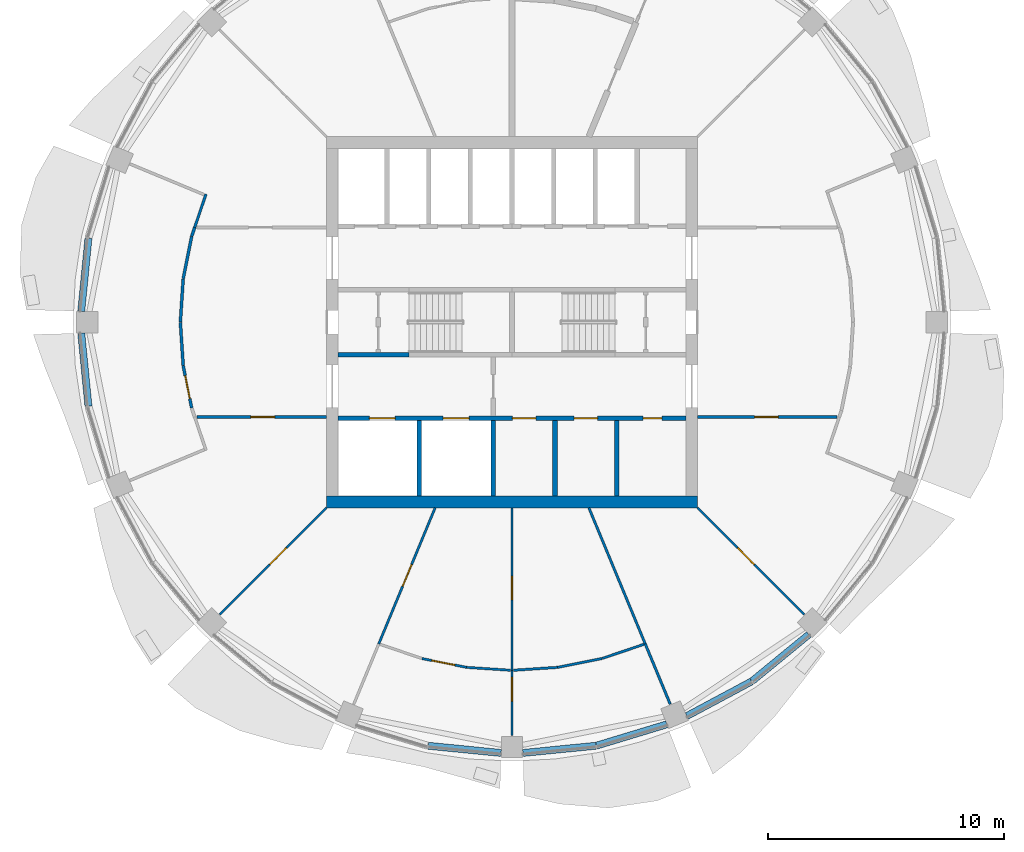
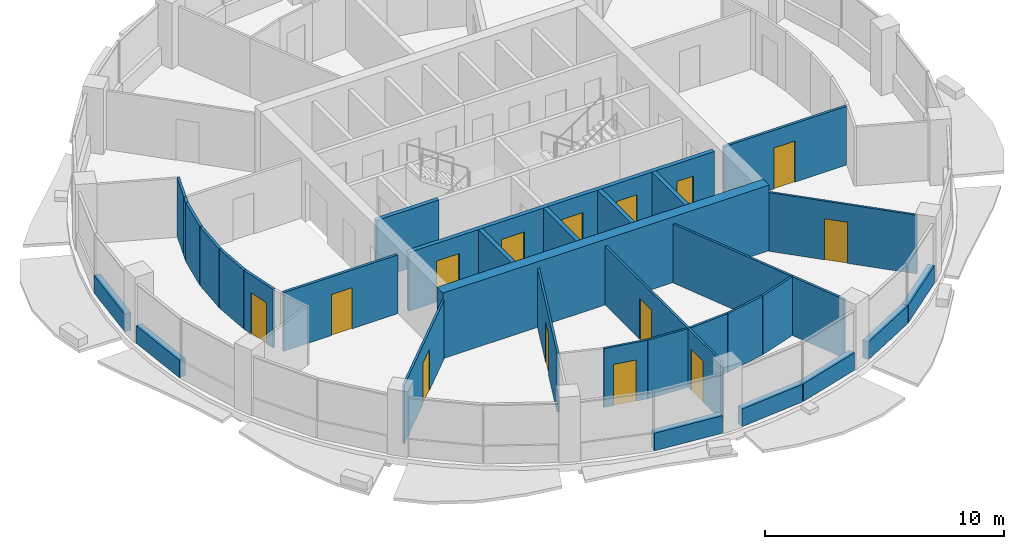
# One storey, part 8 of 15: 34 walls, 14 doors, 14 openings.
"""IFC4 building model written with IfcOpenShell, lengths in metres."""

import ifcopenshell
import ifcopenshell.guid

model = None  # the IFC model being written
_history = None  # IfcOwnerHistory: only IFC2X3 demands one
_inside = {}  # id of a spatial element -> (the spatial element, [elements in it])
_under = {}  # id of a project, library or spatial element -> (it, [spatial elements below it])
_declared = {}  # id of a project -> (the project, [libraries it declares])
_typed = {}  # id of a type object -> (the type object, [elements of that type])
_made_of = {}  # id of a material, layer set ... -> (it, [elements and type objects made of it])


def new_model(schema):
    """Start an empty IFC model of exactly this schema.

    Asked for "IFC4X3", IfcOpenShell would pick the latest addendum, in which some entities
    have other attributes; the version numbers below select the first issue.
    IFC2X3 requires an IfcOwnerHistory on every rooted entity: one is made here for all.
    """
    global model, _history
    if schema == "IFC4X3":
        model = ifcopenshell.file(schema_version=(4, 3, 0, 0))
    else:
        model = ifcopenshell.file(schema=schema)
    _inside.clear()
    _under.clear()
    _declared.clear()
    _typed.clear()
    _made_of.clear()
    _history = None
    if model.schema == "IFC2X3":
        org = make("IfcOrganization", Name="unknown")
        user = make(
            "IfcPersonAndOrganization",
            ThePerson=make("IfcPerson", FamilyName="unknown"),
            TheOrganization=org,
        )
        app = make(
            "IfcApplication",
            ApplicationDeveloper=org,
            Version="unknown",
            ApplicationFullName="unknown",
            ApplicationIdentifier="unknown",
        )
        _history = make(
            "IfcOwnerHistory",
            OwningUser=user,
            OwningApplication=app,
            ChangeAction="ADDED",
            CreationDate=0,
        )
    return model


def make(cls, **values):
    """One entity of the class cls with the attributes given. An attribute that is None is left unset."""
    return model.create_entity(
        cls, **{name: value for name, value in values.items() if value is not None}
    )


def rooted(cls, **values):
    """An entity with a GlobalId (a new one), such as an element, a storey or a relation."""
    return make(cls, GlobalId=ifcopenshell.guid.new(), OwnerHistory=_history, **values)


def si_unit(unit_type, name, prefix=None):
    """IfcSIUnit, for example si_unit("LENGTHUNIT", "METRE", prefix="MILLI")."""
    return make("IfcSIUnit", UnitType=unit_type, Prefix=prefix, Name=name)


def assignment(units):
    """IfcUnitAssignment: the units of a project."""
    return None if units is None else make("IfcUnitAssignment", Units=units)


def point(xyz):
    """IfcCartesianPoint."""
    return None if xyz is None else make("IfcCartesianPoint", Coordinates=xyz)


def direction(xyz):
    """IfcDirection."""
    return None if xyz is None else make("IfcDirection", DirectionRatios=xyz)


def frame(location, z_axis=None, x_axis=None):
    """IfcAxis2Placement3D, a coordinate frame: its origin and axes. An axis left out is left unset."""
    return make(
        "IfcAxis2Placement3D",
        Location=point(location),
        Axis=direction(z_axis),
        RefDirection=direction(x_axis),
    )


def frame_2d(location, x_axis=None):
    """IfcAxis2Placement2D, a coordinate frame in the plane: its origin and x axis."""
    return make(
        "IfcAxis2Placement2D", Location=point(location), RefDirection=direction(x_axis)
    )


def origin():
    """The frame at (0, 0, 0) with its axes left unset."""
    return frame((0.0, 0.0, 0.0))


def place(relative_to, where):
    """IfcLocalPlacement: puts the frame where relative to a parent placement (None: the world)."""
    return make(
        "IfcLocalPlacement", PlacementRelTo=relative_to, RelativePlacement=where
    )


def context(
    kind, dimensions, precision=None, world=None, true_north=None, identifier=None
):
    """IfcGeometricRepresentationContext, for example the 3D "Model" context."""
    return make(
        "IfcGeometricRepresentationContext",
        ContextIdentifier=identifier,
        ContextType=kind,
        CoordinateSpaceDimension=dimensions,
        Precision=precision,
        WorldCoordinateSystem=world,
        TrueNorth=true_north,
    )


def subcontext(parent, identifier, kind, view, scale=None):
    """IfcGeometricRepresentationSubContext, for example "Body" below "Model"."""
    return make(
        "IfcGeometricRepresentationSubContext",
        ContextIdentifier=identifier,
        ContextType=kind,
        ParentContext=parent,
        TargetScale=scale,
        TargetView=view,
    )


def project(units=None, contexts=None):
    """IfcProject with its units and contexts."""
    return rooted(
        "IfcProject",
        Name="project",
        RepresentationContexts=contexts,
        UnitsInContext=assignment(units),
    )


def spatial(cls, under=None, at=None, **own):
    """A site, building, storey or space (cls), placed at a placement, below another one or the project."""
    s = rooted(cls, ObjectPlacement=at, **own)
    if under is not None:
        _under.setdefault(under.id(), (under, []))[1].append(s)
    return s


def profile(cls, at=None, kind="AREA", **sizes):
    """A parametric profile (cls). Its sizes go by their IFC names, for example OverallWidth=200.0."""
    return make(cls, ProfileType=kind, Position=at, **sizes)


def rectangle(**sizes):
    """IfcRectangleProfileDef."""
    return profile("IfcRectangleProfileDef", **sizes)


def extrude(swept, where, along, depth):
    """IfcExtrudedAreaSolid: the profile swept, set in the frame where, extruded along a direction by depth."""
    return make(
        "IfcExtrudedAreaSolid",
        SweptArea=swept,
        Position=where,
        ExtrudedDirection=direction(along),
        Depth=depth,
    )


def shape(context_of_items, identifier, shape_type, items):
    """IfcShapeRepresentation: the items that make up one representation, for example the "Body"."""
    return make(
        "IfcShapeRepresentation",
        ContextOfItems=context_of_items,
        RepresentationIdentifier=identifier,
        RepresentationType=shape_type,
        Items=items,
    )


def material(Name=None, Category=None):
    """IfcMaterial."""
    return make("IfcMaterial", Name=Name, Category=Category)


def layer(
    of_material, thickness, ventilated=None, Name=None, Category=None, Priority=None
):
    """IfcMaterialLayer: one layer of a wall or slab, of a material (None: an air gap)."""
    return make(
        "IfcMaterialLayer",
        Material=of_material,
        LayerThickness=thickness,
        IsVentilated=ventilated,
        Name=Name,
        Category=Category,
        Priority=Priority,
    )


def layer_set(layers, Name=None):
    """IfcMaterialLayerSet."""
    return make("IfcMaterialLayerSet", MaterialLayers=layers, LayerSetName=Name)


def made_of(thing, what):
    """Note that an element or type object is made of a material, layer set ...; save() writes the relation."""
    if what is not None:
        _made_of.setdefault(what.id(), (what, []))[1].append(thing)
    return thing


def type_object(cls, material=None, **own):
    """A type object (cls), such as IfcWallType, which elements share."""
    return made_of(rooted(cls, **own), material)


def element(
    cls,
    number,
    at=None,
    inside=None,
    cuts=None,
    type_object=None,
    material=None,
    context=None,
    identifier="Body",
    shape_type=None,
    held_by="IfcProductDefinitionShape",
    body=None,
    shapes=None,
    **own,
):
    """One element of the class cls, such as IfcWall. Its Tag is "e" and its number.

    at: its placement. inside: the storey or other place that contains it. cuts: it is an
    opening in that element (IfcRelVoidsElement). A single representation is given by context,
    identifier, shape_type and body (its items); several are given by shapes. held_by: the class
    of the entity that holds the representations. save() writes the other relations.
    """
    e = rooted(cls, Tag="e%d" % number, ObjectPlacement=at, **own)
    if body is not None:
        shapes = [shape(context, identifier, shape_type, body)]
    if shapes is not None:
        e.Representation = make(held_by, Representations=shapes)
    if inside is not None:
        _inside.setdefault(inside.id(), (inside, []))[1].append(e)
    if cuts is not None:
        rooted(
            "IfcRelVoidsElement", RelatingBuildingElement=cuts, RelatedOpeningElement=e
        )
    if type_object is not None:
        _typed.setdefault(type_object.id(), (type_object, []))[1].append(e)
    return made_of(e, material)


def fill(opening, filler):
    """IfcRelFillsElement: the door or window that sits in an opening."""
    return rooted(
        "IfcRelFillsElement",
        RelatingOpeningElement=opening,
        RelatedBuildingElement=filler,
    )


def aggregate(whole, parts):
    """IfcRelAggregates: a whole, such as a stair, and the parts it consists of."""
    return rooted("IfcRelAggregates", RelatingObject=whole, RelatedObjects=parts)


def save(model, path):
    """Write the relations noted so far, then the file.

    IfcRelAggregates (storeys below a building ...), IfcRelContainedInSpatialStructure (elements
    in a storey), IfcRelDefinesByType, IfcRelAssociatesMaterial and IfcRelDeclares: one each for
    every whole, place, type object, material and project.
    """
    for whole, parts in _under.values():
        aggregate(whole, parts)
    for where, things in _inside.values():
        rooted(
            "IfcRelContainedInSpatialStructure",
            RelatedElements=things,
            RelatingStructure=where,
        )
    for kind, things in _typed.values():
        rooted("IfcRelDefinesByType", RelatedObjects=things, RelatingType=kind)
    for what, things in _made_of.values():
        rooted("IfcRelAssociatesMaterial", RelatedObjects=things, RelatingMaterial=what)
    for by, libraries in _declared.values():
        rooted("IfcRelDeclares", RelatingContext=by, RelatedDefinitions=libraries)
    model.write(path)


model = new_model("IFC4")

# Units and contexts
model_context = context("Model", 3, precision=1e-05, world=origin(), true_north=direction((0.0, 1.0)))
body_context = subcontext(model_context, "Body", "Model", "MODEL_VIEW")
ifc_project = project(units=[si_unit("LENGTHUNIT", "METRE"), si_unit("AREAUNIT", "SQUARE_METRE"), si_unit("VOLUMEUNIT", "CUBIC_METRE"), si_unit("PLANEANGLEUNIT", "RADIAN"), si_unit("MASSUNIT", "GRAM", prefix="KILO")], contexts=[model_context])

# Site, building, storey
site_placement = place(None, origin())
site = spatial("IfcSite", under=ifc_project, at=site_placement, CompositionType="ELEMENT")
building_placement = place(site_placement, origin())
building = spatial("IfcBuilding", under=site, at=building_placement, Name="Polderwave Tower", CompositionType="ELEMENT")
storey_placement = place(building_placement, frame((0.0, 0.0, 177.60009765625)))
storey = spatial("IfcBuildingStorey", under=building, at=storey_placement, Name="L47", CompositionType="ELEMENT", Elevation=177.60009765625)

# Walls
ifc_material_1 = material(Name="Concrete C60/75", Category="concrete")
ifc_layer_1 = layer(ifc_material_1, 0.5)
ifc_layer_set_1 = layer_set([ifc_layer_1], Name="CORE WALL 500 C60/75")
wall_type_1 = type_object("IfcWallType", Name="CORE WALL 500 C60/75", PredefinedType="SHEAR", material=ifc_layer_set_1)
wall_1_placement = place(storey_placement, frame((-7.8740234375, -7.6240234375, 0.0), z_axis=(0.0, 0.0, 1.0), x_axis=(1.0, 0.0, 0.0)))
element("IfcWall", 1, at=wall_1_placement, inside=storey, type_object=wall_type_1, Name="ST-CORE-L47-S", PredefinedType="SHEAR", context=body_context, shape_type="SweptSolid", body=[
    extrude(rectangle(XDim=15.748046875, YDim=0.5, at=frame_2d((7.8740234375, 0.0))), origin(), (0.0, 0.0, 1.0), 3.349853515625),
])
ifc_material_2 = material(Name="Concrete C50/60 (board-marked)", Category="concrete")
ifc_layer_2 = layer(ifc_material_2, 0.300048828125)
ifc_layer_set_2 = layer_set([ifc_layer_2], Name="Concrete spandrel upstand C50/60")
wall_type_2 = type_object("IfcWallType", Name="Concrete spandrel upstand C50/60", PredefinedType="SOLIDWALL", material=ifc_layer_set_2)
for number, where, z_axis, x_axis, name in (
    (2, (-17.969482421875, 3.55908203125, 0.0), (0.0, 0.0, 1.0), (-0.098042483483, -0.995182230264, 0.0), "Spandrel L47 8b"),
    (3, (-18.2744140625, -0.4638671875, 0.0), (0.0, 0.0, 1.0), (0.098042483483, -0.995182230264, 0.0), "Spandrel L47 9a"),
    (4, (-3.55908203125, -17.969482421875, 0.0), (0.0, 0.0, 1.0), (0.995182230264, -0.098042483483, 0.0), "Spandrel L47 12b"),
    (5, (0.4638671875, -18.2744140625, 0.0), (0.0, 0.0, 1.0), (0.995182230264, 0.098042483483, 0.0), "Spandrel L47 13a"),
):
    element("IfcWall", number, at=place(storey_placement, frame(where, z_axis=z_axis, x_axis=x_axis)), inside=storey, type_object=wall_type_2, Name=name, PredefinedType="SOLIDWALL", context=body_context, shape_type="SweptSolid", body=[
        extrude(rectangle(XDim=3.110107421875, YDim=0.300048828125, at=frame_2d((1.55517578125, 0.0))), origin(), (0.0, 0.0, 1.0), 0.89990234375),
    ])
for number, where, z_axis, x_axis, name in (
    (6, (3.58837890625, -17.963623046875, 0.0), (0.0, 0.0, 1.0), (0.956898885778, 0.290421284339, 0.0), "Spandrel L47 13b"),
    (7, (7.422119140625, -16.705810546875, 0.0), (0.0, 0.0, 1.0), (0.881813490025, 0.471598312985, 0.0), "Spandrel L47 14a"),
):
    element("IfcWall", number, at=place(storey_placement, frame(where, z_axis=z_axis, x_axis=x_axis)), inside=storey, type_object=wall_type_2, Name=name, PredefinedType="SOLIDWALL", context=body_context, shape_type="SweptSolid", body=[
        extrude(rectangle(XDim=3.1103515625, YDim=0.300048828125, at=frame_2d((1.55517578125, 0.0))), origin(), (0.0, 0.0, 1.0), 0.89990234375),
    ])
wall_2_placement = place(storey_placement, frame((10.189697265625, -15.222412109375, 0.0), z_axis=(0.0, 0.0, 1.0), x_axis=(0.773113831461, 0.634267296653, 0.0)))
element("IfcWall", 8, at=wall_2_placement, inside=storey, type_object=wall_type_2, Name="Spandrel L47 14b", PredefinedType="SOLIDWALL", context=body_context, shape_type="SweptSolid", body=[
    extrude(rectangle(XDim=3.110595703125, YDim=0.300048828125, at=frame_2d((1.55517578125, 0.0))), origin(), (0.0, 0.0, 1.0), 0.89990234375),
])
ifc_material_3 = material(Name="Gypsum board partition")
ifc_layer_3 = layer(ifc_material_3, 0.199951171875)
ifc_layer_set_3 = layer_set([ifc_layer_3], Name="Core room partition 200")
wall_type_3 = type_object("IfcWallType", Name="Core room partition 200", PredefinedType="PARTITIONING", material=ifc_layer_set_3)
for number, where, z_axis, x_axis, name in (
    (9, (1.823486328125, -7.3740234375, 0.0), (0.0, 0.0, 1.0), (0.0, 1.0, 0.0), "L47 room partition S1"),
    (10, (4.44677734375, -7.3740234375, 0.0), (0.0, 0.0, 1.0), (0.0, 1.0, 0.0), "L47 room partition S2"),
):
    element("IfcWall", number, at=place(storey_placement, frame(where, z_axis=z_axis, x_axis=x_axis)), inside=storey, type_object=wall_type_3, Name=name, PredefinedType="PARTITIONING", context=body_context, shape_type="SweptSolid", body=[
        extrude(rectangle(XDim=3.199951171875, YDim=0.199951171875, at=frame_2d((1.60009765625, 0.0))), origin(), (0.0, 0.0, 1.0), 3.0),
    ])

# Wall, openings, doors
ifc_material_4 = material(Name="Concrete C50/60", Category="concrete")
ifc_layer_4 = layer(ifc_material_4, 0.199951171875)
ifc_layer_set_4 = layer_set([ifc_layer_4], Name="Core web wall 200")
wall_type_4 = type_object("IfcWallType", Name="Core web wall 200", PredefinedType="SHEAR", material=ifc_layer_set_4)
wall_3_placement = place(storey_placement, frame((-7.3740234375, -4.073974609375, 0.0), z_axis=(0.0, 0.0, 1.0), x_axis=(1.0, 0.0, 0.0)))
wall_3 = element("IfcWall", 11, at=wall_3_placement, inside=storey, type_object=wall_type_4, Name="L47 south front wall", PredefinedType="SHEAR", context=body_context, shape_type="SweptSolid", body=[
    extrude(rectangle(XDim=14.748046875, YDim=0.199951171875, at=frame_2d((7.3740234375, 0.0))), origin(), (0.0, 0.0, 1.0), 3.0),
])
opening_1_placement = place(wall_3_placement, frame((1.318603515625, 0.0, 0.0)))
opening_1 = element("IfcOpeningElement", 12, at=opening_1_placement, cuts=wall_3, Name="Opening L47-D01", PredefinedType="OPENING", context=body_context, shape_type="SweptSolid", body=[
    extrude(rectangle(XDim=1.10009765625, YDim=2.10009765625, at=frame_2d((0.550048828125, 1.050048828125))), frame((0.0, 0.10986328125, 0.0), z_axis=(0.0, -1.0, 0.0), x_axis=(1.0, 0.0, 0.0)), (0.0, 0.0, 1.0), 0.219970703125),
])
opening_2_placement = place(wall_3_placement, frame((4.45556640625, 0.0, 0.0)))
opening_2 = element("IfcOpeningElement", 13, at=opening_2_placement, cuts=wall_3, Name="Opening L47-D02", PredefinedType="OPENING", context=body_context, shape_type="SweptSolid", body=[
    extrude(rectangle(XDim=1.10009765625, YDim=2.10009765625, at=frame_2d((0.550048828125, 1.050048828125))), frame((0.0, 0.10986328125, 0.0), z_axis=(0.0, -1.0, 0.0), x_axis=(1.0, 0.0, 0.0)), (0.0, 0.0, 1.0), 0.219970703125),
])
opening_3_placement = place(wall_3_placement, frame((7.3857421875, 0.0, 0.0)))
opening_3 = element("IfcOpeningElement", 14, at=opening_3_placement, cuts=wall_3, Name="Opening L47-D15", PredefinedType="OPENING", context=body_context, shape_type="SweptSolid", body=[
    extrude(rectangle(XDim=1.0, YDim=2.10009765625, at=frame_2d((0.5, 1.050048828125))), frame((0.0, 0.10986328125, 0.0), z_axis=(0.0, -1.0, 0.0), x_axis=(1.0, 0.0, 0.0)), (0.0, 0.0, 1.0), 0.219970703125),
])
opening_4_placement = place(wall_3_placement, frame((10.009033203125, 0.0, 0.0)))
opening_4 = element("IfcOpeningElement", 15, at=opening_4_placement, cuts=wall_3, Name="Opening L47-D16", PredefinedType="OPENING", context=body_context, shape_type="SweptSolid", body=[
    extrude(rectangle(XDim=1.0, YDim=2.10009765625, at=frame_2d((0.5, 1.050048828125))), frame((0.0, 0.10986328125, 0.0), z_axis=(0.0, -1.0, 0.0), x_axis=(1.0, 0.0, 0.0)), (0.0, 0.0, 1.0), 0.219970703125),
])
opening_5_placement = place(wall_3_placement, frame((12.934326171875, 0.0, 0.0)))
opening_5 = element("IfcOpeningElement", 16, at=opening_5_placement, cuts=wall_3, Name="Opening L47-D17", PredefinedType="OPENING", context=body_context, shape_type="SweptSolid", body=[
    extrude(rectangle(XDim=0.800048828125, YDim=2.10009765625, at=frame_2d((0.39990234375, 1.050048828125))), frame((0.0, 0.10986328125, 0.0), z_axis=(0.0, -1.0, 0.0), x_axis=(1.0, 0.0, 0.0)), (0.0, 0.0, 1.0), 0.219970703125),
])
ifc_material_5 = material(Name="Stainless steel", Category="steel")
door_type_1 = type_object("IfcDoorType", Name="Fire-fighting lift landing door 1100", OperationType="DOUBLE_DOOR_SLIDING", PredefinedType="DOOR", material=ifc_material_5)
door_1_placement = place(opening_1_placement, origin())
door_1 = element("IfcDoor", 17, at=door_1_placement, inside=storey, type_object=door_type_1, Name="Fire-fighting lift FF1 landing door", OperationType="DOUBLE_DOOR_SLIDING", OverallHeight=2.10009765625, OverallWidth=1.10009765625, PredefinedType="DOOR", context=body_context, shape_type="SweptSolid", body=[
    extrude(rectangle(XDim=1.10009765625, YDim=2.10009765625, at=frame_2d((0.550048828125, 1.050048828125))), frame((0.0, 0.02490234375, 0.0), z_axis=(0.0, -1.0, 0.0), x_axis=(1.0, 0.0, 0.0)), (0.0, 0.0, 1.0), 0.050048828125),
])
fill(opening_1, door_1)
door_2_placement = place(opening_2_placement, origin())
door_2 = element("IfcDoor", 18, at=door_2_placement, inside=storey, type_object=door_type_1, Name="Fire-fighting lift FF2 landing door", OperationType="DOUBLE_DOOR_SLIDING", OverallHeight=2.10009765625, OverallWidth=1.10009765625, PredefinedType="DOOR", context=body_context, shape_type="SweptSolid", body=[
    extrude(rectangle(XDim=1.10009765625, YDim=2.10009765625, at=frame_2d((0.550048828125, 1.050048828125))), frame((0.0, 0.02490234375, 0.0), z_axis=(0.0, -1.0, 0.0), x_axis=(1.0, 0.0, 0.0)), (0.0, 0.0, 1.0), 0.050048828125),
])
fill(opening_2, door_2)
ifc_material_6 = material(Name="Steel fire door", Category="steel")
door_type_2 = type_object("IfcDoorType", Name="Riser door 800", OperationType="NOTDEFINED", PredefinedType="DOOR", material=ifc_material_6)
door_3_placement = place(opening_5_placement, origin())
door_3 = element("IfcDoor", 19, at=door_3_placement, inside=storey, type_object=door_type_2, Name="Electrical room door", OperationType="SINGLE_SWING_RIGHT", OverallHeight=2.10009765625, OverallWidth=0.800048828125, PredefinedType="DOOR", context=body_context, shape_type="SweptSolid", body=[
    extrude(rectangle(XDim=0.800048828125, YDim=2.10009765625, at=frame_2d((0.39990234375, 1.050048828125))), frame((0.0, 0.02490234375, 0.0), z_axis=(0.0, -1.0, 0.0), x_axis=(1.0, 0.0, 0.0)), (0.0, 0.0, 1.0), 0.050048828125),
])
fill(opening_5, door_3)
ifc_material_7 = material(Name="Timber door leaf", Category="wood")
door_type_3 = type_object("IfcDoorType", Name="Room door 1000", OperationType="NOTDEFINED", PredefinedType="DOOR", material=ifc_material_7)
door_4_placement = place(opening_3_placement, frame((1.0, 0.0, 0.0), z_axis=(0.0, 0.0, 1.0), x_axis=(-1.0, 0.0, 0.0)))
door_4 = element("IfcDoor", 20, at=door_4_placement, inside=storey, type_object=door_type_3, Name="Housekeeping store door", OperationType="SINGLE_SWING_LEFT", OverallHeight=2.10009765625, OverallWidth=1.0, PredefinedType="DOOR", context=body_context, shape_type="SweptSolid", body=[
    extrude(rectangle(XDim=1.0, YDim=2.10009765625, at=frame_2d((0.5, 1.050048828125))), frame((0.0, 0.02490234375, 0.0), z_axis=(0.0, -1.0, 0.0), x_axis=(1.0, 0.0, 0.0)), (0.0, 0.0, 1.0), 0.050048828125),
])
fill(opening_3, door_4)
door_5_placement = place(opening_4_placement, frame((1.0, 0.0, 0.0), z_axis=(0.0, 0.0, 1.0), x_axis=(-1.0, 0.0, 0.0)))
door_5 = element("IfcDoor", 21, at=door_5_placement, inside=storey, type_object=door_type_3, Name="Pantry door", OperationType="SINGLE_SWING_LEFT", OverallHeight=2.10009765625, OverallWidth=1.0, PredefinedType="DOOR", context=body_context, shape_type="SweptSolid", body=[
    extrude(rectangle(XDim=1.0, YDim=2.10009765625, at=frame_2d((0.5, 1.050048828125))), frame((0.0, 0.02490234375, 0.0), z_axis=(0.0, -1.0, 0.0), x_axis=(1.0, 0.0, 0.0)), (0.0, 0.0, 1.0), 0.050048828125),
])
fill(opening_4, door_5)

# Wall
wall_4_placement = place(storey_placement, frame((-7.3740234375, -1.375, 0.0), z_axis=(0.0, 0.0, 1.0), x_axis=(1.0, 0.0, 0.0)))
element("IfcWall", 22, at=wall_4_placement, inside=storey, type_object=wall_type_4, Name="L47 south stair wall 1", PredefinedType="SHEAR", context=body_context, shape_type="SweptSolid", body=[
    extrude(rectangle(XDim=3.0, YDim=0.199951171875, at=frame_2d((1.5, 0.0))), origin(), (0.0, 0.0, 1.0), 3.0),
])

# Wall, opening, door
ifc_material_8 = material(Name="Fire-resisting board on steel studs", Category="steel")
ifc_layer_5 = layer(ifc_material_8, 0.125)
ifc_layer_set_5 = layer_set([ifc_layer_5], Name="Corridor wall 125 mm EI 60")
wall_type_5 = type_object("IfcWallType", Name="Corridor wall 125 mm EI 60", PredefinedType="PARTITIONING", material=ifc_layer_set_5)
wall_5_placement = place(storey_placement, frame((13.794921875, -4.0244140625, 0.0), z_axis=(0.0, 0.0, 1.0), x_axis=(-1.0, 0.0, 0.0)))
wall_5 = element("IfcWall", 23, at=wall_5_placement, inside=storey, type_object=wall_type_5, Name="IN-L47-W008", PredefinedType="PARTITIONING", context=body_context, shape_type="SweptSolid", body=[
    extrude(rectangle(XDim=5.9208984375, YDim=0.125, at=frame_2d((2.96044921875, 0.0))), origin(), (0.0, 0.0, 1.0), 3.0),
])
opening_6_placement = place(wall_5_placement, frame((2.5, 0.0, 0.0)))
opening_6 = element("IfcOpeningElement", 24, at=opening_6_placement, cuts=wall_5, Name="Opening L47-D52", PredefinedType="OPENING", context=body_context, shape_type="SweptSolid", body=[
    extrude(rectangle(XDim=1.0, YDim=2.10009765625, at=frame_2d((0.5, 1.050048828125))), frame((0.0, 0.072509765625, 0.0), z_axis=(0.0, -1.0, 0.0), x_axis=(1.0, 0.0, 0.0)), (0.0, 0.0, 1.0), 0.14501953125),
])
ifc_material_9 = material(Name="Timber fire door leaf", Category="wood")
door_type_4 = type_object("IfcDoorType", Name="Fire door FD30S 1000 x 2100", OperationType="NOTDEFINED", PredefinedType="DOOR", material=ifc_material_9)
door_6_placement = place(opening_6_placement, origin())
door_6 = element("IfcDoor", 25, at=door_6_placement, inside=storey, type_object=door_type_4, Name="Door L47-D52", OperationType="SINGLE_SWING_RIGHT", OverallHeight=2.10009765625, OverallWidth=1.0, PredefinedType="DOOR", context=body_context, shape_type="SweptSolid", body=[
    extrude(rectangle(XDim=1.0, YDim=2.10009765625, at=frame_2d((0.5, 1.050048828125))), frame((0.0, 0.02490234375, 0.0), z_axis=(0.0, -1.0, 0.0), x_axis=(1.0, 0.0, 0.0)), (0.0, 0.0, 1.0), 0.050048828125),
])
fill(opening_6, door_6)

# Walls
for number, where, z_axis, x_axis, name in (
    (26, (-14.069580078125, 0.004150390625, 0.0), (0.0, 0.0, 1.0), (0.065289693198, 0.997866351754, 0.0), "IN-L47-W010"),
    (27, (-13.949951171875, -1.83251953125, 0.0), (0.0, 0.0, 1.0), (-0.065289693198, 0.997866351754, 0.0), "IN-L47-W011"),
    (28, (-13.94873046875, 1.840576171875, 0.0), (0.0, 0.0, 1.0), (0.195065465094, 0.980790224425, 0.0), "IN-L47-W012"),
):
    element("IfcWall", number, at=place(storey_placement, frame(where, z_axis=z_axis, x_axis=x_axis)), inside=storey, type_object=wall_type_5, Name=name, PredefinedType="PARTITIONING", context=body_context, shape_type="SweptSolid", body=[
        extrude(rectangle(XDim=1.832275390625, YDim=0.125, at=frame_2d((0.916015625, 0.0))), origin(), (0.0, 0.0, 1.0), 3.0),
    ])

# Wall, opening, door
wall_6_placement = place(storey_placement, frame((-13.59130859375, -3.6376953125, 0.0), z_axis=(0.0, 0.0, 1.0), x_axis=(-0.195065465094, 0.980790224425, 0.0)))
wall_6 = element("IfcWall", 29, at=wall_6_placement, inside=storey, type_object=wall_type_5, Name="IN-L47-W013", PredefinedType="PARTITIONING", context=body_context, shape_type="SweptSolid", body=[
    extrude(rectangle(XDim=1.832275390625, YDim=0.125, at=frame_2d((0.916015625, 0.0))), origin(), (0.0, 0.0, 1.0), 3.0),
])
opening_7_placement = place(wall_6_placement, frame((0.39990234375, 0.0, 0.0)))
opening_7 = element("IfcOpeningElement", 30, at=opening_7_placement, cuts=wall_6, Name="Opening L47-D54", PredefinedType="OPENING", context=body_context, shape_type="SweptSolid", body=[
    extrude(rectangle(XDim=1.0, YDim=2.10009765625, at=frame_2d((0.5, 1.050048828125))), frame((0.0, 0.072509765625, 0.0), z_axis=(0.0, -1.0, 0.0), x_axis=(1.0, 0.0, 0.0)), (0.0, 0.0, 1.0), 0.14501953125),
])
door_7_placement = place(opening_7_placement, origin())
door_7 = element("IfcDoor", 31, at=door_7_placement, inside=storey, type_object=door_type_4, Name="Door L47-D54", OperationType="SINGLE_SWING_LEFT", OverallHeight=2.10009765625, OverallWidth=1.0, PredefinedType="DOOR", context=body_context, shape_type="SweptSolid", body=[
    extrude(rectangle(XDim=1.0, YDim=2.10009765625, at=frame_2d((0.5, 1.050048828125))), frame((0.0, 0.02490234375, 0.0), z_axis=(0.0, -1.0, 0.0), x_axis=(1.0, 0.0, 0.0)), (0.0, 0.0, 1.0), 0.050048828125),
])
fill(opening_7, door_7)

# Wall
wall_7_placement = place(storey_placement, frame((-13.58935546875, 3.6455078125, 0.0), z_axis=(0.0, 0.0, 1.0), x_axis=(0.321530820204, 0.94689911377, 0.0)))
element("IfcWall", 32, at=wall_7_placement, inside=storey, type_object=wall_type_5, Name="IN-L47-W014", PredefinedType="PARTITIONING", context=body_context, shape_type="SweptSolid", body=[
    extrude(rectangle(XDim=0.400146484375, YDim=0.125, at=frame_2d((0.2001953125, 0.0))), origin(), (0.0, 0.0, 1.0), 3.0),
])

# Wall, opening, door
wall_8_placement = place(storey_placement, frame((-7.8740234375, -4.0244140625, 0.0), z_axis=(0.0, 0.0, 1.0), x_axis=(-1.0, 0.0, 0.0)))
wall_8 = element("IfcWall", 33, at=wall_8_placement, inside=storey, type_object=wall_type_5, Name="IN-L47-W016", PredefinedType="PARTITIONING", context=body_context, shape_type="SweptSolid", body=[
    extrude(rectangle(XDim=5.499267578125, YDim=0.125, at=frame_2d((2.74951171875, 0.0))), origin(), (0.0, 0.0, 1.0), 3.0),
])
opening_8_placement = place(wall_8_placement, frame((2.199951171875, 0.0, 0.0)))
opening_8 = element("IfcOpeningElement", 34, at=opening_8_placement, cuts=wall_8, Name="Opening L47-D55", PredefinedType="OPENING", context=body_context, shape_type="SweptSolid", body=[
    extrude(rectangle(XDim=1.0, YDim=2.10009765625, at=frame_2d((0.5, 1.050048828125))), frame((0.0, 0.072509765625, 0.0), z_axis=(0.0, -1.0, 0.0), x_axis=(1.0, 0.0, 0.0)), (0.0, 0.0, 1.0), 0.14501953125),
])
door_8_placement = place(opening_8_placement, origin())
door_8 = element("IfcDoor", 35, at=door_8_placement, inside=storey, type_object=door_type_4, Name="Door L47-D55", OperationType="SINGLE_SWING_LEFT", OverallHeight=2.10009765625, OverallWidth=1.0, PredefinedType="DOOR", context=body_context, shape_type="SweptSolid", body=[
    extrude(rectangle(XDim=1.0, YDim=2.10009765625, at=frame_2d((0.5, 1.050048828125))), frame((0.0, 0.02490234375, 0.0), z_axis=(0.0, -1.0, 0.0), x_axis=(1.0, 0.0, 0.0)), (0.0, 0.0, 1.0), 0.050048828125),
])
fill(opening_8, door_8)

ifc_material_10 = material(Name="Plasterboard on steel studs", Category="steel")
ifc_layer_6 = layer(ifc_material_10, 0.10009765625)
ifc_layer_set_6 = layer_set([ifc_layer_6], Name="Partition 100 mm plasterboard on steel studs")
wall_type_6 = type_object("IfcWallType", Name="Partition 100 mm plasterboard on steel studs", PredefinedType="PARTITIONING", material=ifc_layer_set_6)
wall_9_placement = place(storey_placement, frame((-7.8740234375, -7.8740234375, 0.0), z_axis=(0.0, 0.0, 1.0), x_axis=(-0.707106781187, -0.707106781187, 0.0)))
wall_9 = element("IfcWall", 36, at=wall_9_placement, inside=storey, type_object=wall_type_6, Name="IN-L47-W039", PredefinedType="PARTITIONING", context=body_context, shape_type="SweptSolid", body=[
    extrude(rectangle(XDim=6.404296875, YDim=0.10009765625, at=frame_2d((3.2021484375, 0.0))), origin(), (0.0, 0.0, 1.0), 3.0),
])
opening_9_placement = place(wall_9_placement, frame((2.39990234375, 0.0, 0.0)))
opening_9 = element("IfcOpeningElement", 37, at=opening_9_placement, cuts=wall_9, Name="Opening L47-D62", PredefinedType="OPENING", context=body_context, shape_type="SweptSolid", body=[
    extrude(rectangle(XDim=1.0, YDim=2.10009765625, at=frame_2d((0.5, 1.050048828125))), frame((0.0, 0.06005859375, 0.0), z_axis=(0.0, -1.0, 0.0), x_axis=(1.0, 0.0, 0.0)), (0.0, 0.0, 1.0), 0.1201171875),
])
ifc_material_11 = material(Name="Timber veneer door leaf", Category="wood")
door_type_5 = type_object("IfcDoorType", Name="Single door 1000 x 2100", OperationType="NOTDEFINED", PredefinedType="DOOR", material=ifc_material_11)
door_9_placement = place(opening_9_placement, origin())
door_9 = element("IfcDoor", 38, at=door_9_placement, inside=storey, type_object=door_type_5, Name="Door L47-D62", OperationType="SINGLE_SWING_LEFT", OverallHeight=2.10009765625, OverallWidth=1.0, PredefinedType="DOOR", context=body_context, shape_type="SweptSolid", body=[
    extrude(rectangle(XDim=1.0, YDim=2.10009765625, at=frame_2d((0.5, 1.050048828125))), frame((0.0, 0.02490234375, 0.0), z_axis=(0.0, -1.0, 0.0), x_axis=(1.0, 0.0, 0.0)), (0.0, 0.0, 1.0), 0.050048828125),
])
fill(opening_9, door_9)

wall_10_placement = place(storey_placement, frame((-3.261474609375, -7.8740234375, 0.0), z_axis=(0.0, 0.0, 1.0), x_axis=(-0.382669328176, -0.923885374532, 0.0)))
wall_10 = element("IfcWall", 39, at=wall_10_placement, inside=storey, type_object=wall_type_6, Name="IN-L47-W040", PredefinedType="PARTITIONING", context=body_context, shape_type="SweptSolid", body=[
    extrude(rectangle(XDim=6.247314453125, YDim=0.10009765625, at=frame_2d((3.12353515625, 0.0))), origin(), (0.0, 0.0, 1.0), 3.0),
])
opening_10_placement = place(wall_10_placement, frame((2.60009765625, 0.0, 0.0)))
opening_10 = element("IfcOpeningElement", 40, at=opening_10_placement, cuts=wall_10, Name="Opening L47-D63", PredefinedType="OPENING", context=body_context, shape_type="SweptSolid", body=[
    extrude(rectangle(XDim=1.0, YDim=2.10009765625, at=frame_2d((0.5, 1.050048828125))), frame((0.0, 0.06005859375, 0.0), z_axis=(0.0, -1.0, 0.0), x_axis=(1.0, 0.0, 0.0)), (0.0, 0.0, 1.0), 0.1201171875),
])
door_10_placement = place(opening_10_placement, origin())
door_10 = element("IfcDoor", 41, at=door_10_placement, inside=storey, type_object=door_type_5, Name="Door L47-D63", OperationType="SINGLE_SWING_LEFT", OverallHeight=2.10009765625, OverallWidth=1.0, PredefinedType="DOOR", context=body_context, shape_type="SweptSolid", body=[
    extrude(rectangle(XDim=1.0, YDim=2.10009765625, at=frame_2d((0.5, 1.050048828125))), frame((0.0, 0.02490234375, 0.0), z_axis=(0.0, -1.0, 0.0), x_axis=(1.0, 0.0, 0.0)), (0.0, 0.0, 1.0), 0.050048828125),
])
fill(opening_10, door_10)

wall_11_placement = place(storey_placement, frame((-1.93115234375, -14.64306640625, 0.0), z_axis=(0.0, 0.0, 1.0), x_axis=(-0.980775263006, 0.195140676117, 0.0)))
wall_11 = element("IfcWall", 42, at=wall_11_placement, inside=storey, type_object=wall_type_6, Name="IN-L47-W043", PredefinedType="PARTITIONING", context=body_context, shape_type="SweptSolid", body=[
    extrude(rectangle(XDim=1.925537109375, YDim=0.10009765625, at=frame_2d((0.962890625, 0.0))), origin(), (0.0, 0.0, 1.0), 3.0),
])
opening_11_placement = place(wall_11_placement, frame((0.5, 0.0, 0.0)))
opening_11 = element("IfcOpeningElement", 43, at=opening_11_placement, cuts=wall_11, Name="Opening L47-D64", PredefinedType="OPENING", context=body_context, shape_type="SweptSolid", body=[
    extrude(rectangle(XDim=1.0, YDim=2.10009765625, at=frame_2d((0.5, 1.050048828125))), frame((0.0, 0.06005859375, 0.0), z_axis=(0.0, -1.0, 0.0), x_axis=(1.0, 0.0, 0.0)), (0.0, 0.0, 1.0), 0.1201171875),
])
door_11_placement = place(opening_11_placement, origin())
door_11 = element("IfcDoor", 44, at=door_11_placement, inside=storey, type_object=door_type_5, Name="Door L47-D64", OperationType="SINGLE_SWING_RIGHT", OverallHeight=2.10009765625, OverallWidth=1.0, PredefinedType="DOOR", context=body_context, shape_type="SweptSolid", body=[
    extrude(rectangle(XDim=1.0, YDim=2.10009765625, at=frame_2d((0.5, 1.050048828125))), frame((0.0, 0.02490234375, 0.0), z_axis=(0.0, -1.0, 0.0), x_axis=(1.0, 0.0, 0.0)), (0.0, 0.0, 1.0), 0.050048828125),
])
fill(opening_11, door_11)

# Wall
wall_12_placement = place(storey_placement, frame((-0.055908203125, -14.766357421875, 0.0), z_axis=(0.0, 0.0, 1.0), x_axis=(-0.997856111695, 0.065446010984, 0.0)))
element("IfcWall", 45, at=wall_12_placement, inside=storey, type_object=wall_type_6, Name="IN-L47-W044", PredefinedType="PARTITIONING", context=body_context, shape_type="SweptSolid", body=[
    extrude(rectangle(XDim=1.87255859375, YDim=0.10009765625, at=frame_2d((0.936279296875, 0.0))), origin(), (0.0, 0.0, 1.0), 3.0),
])

# Wall, opening, door
wall_13_placement = place(storey_placement, frame((0.0, -14.77001953125, 0.0), z_axis=(0.0, 0.0, 1.0), x_axis=(0.0, -1.0, 0.0)))
wall_13 = element("IfcWall", 46, at=wall_13_placement, inside=storey, type_object=wall_type_6, Name="IN-L47-W046", PredefinedType="PARTITIONING", context=body_context, shape_type="SweptSolid", body=[
    extrude(rectangle(XDim=2.77001953125, YDim=0.10009765625, at=frame_2d((1.385009765625, 0.0))), origin(), (0.0, 0.0, 1.0), 3.0),
])
opening_12_placement = place(wall_13_placement, frame((0.300048828125, 0.0, 0.0)))
opening_12 = element("IfcOpeningElement", 47, at=opening_12_placement, cuts=wall_13, Name="Opening L47-D66", PredefinedType="OPENING", context=body_context, shape_type="SweptSolid", body=[
    extrude(rectangle(XDim=1.0, YDim=2.10009765625, at=frame_2d((0.5, 1.050048828125))), frame((0.0, 0.06005859375, 0.0), z_axis=(0.0, -1.0, 0.0), x_axis=(1.0, 0.0, 0.0)), (0.0, 0.0, 1.0), 0.1201171875),
])
door_12_placement = place(opening_12_placement, origin())
door_12 = element("IfcDoor", 48, at=door_12_placement, inside=storey, type_object=door_type_5, Name="Door L47-D66", OperationType="SINGLE_SWING_LEFT", OverallHeight=2.10009765625, OverallWidth=1.0, PredefinedType="DOOR", context=body_context, shape_type="SweptSolid", body=[
    extrude(rectangle(XDim=1.0, YDim=2.10009765625, at=frame_2d((0.5, 1.050048828125))), frame((0.0, 0.02490234375, 0.0), z_axis=(0.0, -1.0, 0.0), x_axis=(1.0, 0.0, 0.0)), (0.0, 0.0, 1.0), 0.050048828125),
])
fill(opening_12, door_12)

wall_14_placement = place(storey_placement, frame((12.402587890625, -12.402587890625, 0.0), z_axis=(0.0, 0.0, 1.0), x_axis=(-0.707106781187, 0.707106781187, 0.0)))
wall_14 = element("IfcWall", 49, at=wall_14_placement, inside=storey, type_object=wall_type_6, Name="IN-L47-W052", PredefinedType="PARTITIONING", context=body_context, shape_type="SweptSolid", body=[
    extrude(rectangle(XDim=6.404296875, YDim=0.10009765625, at=frame_2d((3.2021484375, 0.0))), origin(), (0.0, 0.0, 1.0), 3.0),
])
opening_13_placement = place(wall_14_placement, frame((3.0, 0.0, 0.0)))
opening_13 = element("IfcOpeningElement", 50, at=opening_13_placement, cuts=wall_14, Name="Opening L47-D67", PredefinedType="OPENING", context=body_context, shape_type="SweptSolid", body=[
    extrude(rectangle(XDim=1.0, YDim=2.10009765625, at=frame_2d((0.5, 1.050048828125))), frame((0.0, 0.06005859375, 0.0), z_axis=(0.0, -1.0, 0.0), x_axis=(1.0, 0.0, 0.0)), (0.0, 0.0, 1.0), 0.1201171875),
])
door_13_placement = place(opening_13_placement, origin())
door_13 = element("IfcDoor", 51, at=door_13_placement, inside=storey, type_object=door_type_5, Name="Door L47-D67", OperationType="SINGLE_SWING_RIGHT", OverallHeight=2.10009765625, OverallWidth=1.0, PredefinedType="DOOR", context=body_context, shape_type="SweptSolid", body=[
    extrude(rectangle(XDim=1.0, YDim=2.10009765625, at=frame_2d((0.5, 1.050048828125))), frame((0.0, 0.02490234375, 0.0), z_axis=(0.0, -1.0, 0.0), x_axis=(1.0, 0.0, 0.0)), (0.0, 0.0, 1.0), 0.050048828125),
])
fill(opening_13, door_13)

ifc_material_12 = material(Name="Moisture-resistant board on steel studs, tiled", Category="steel")
ifc_layer_7 = layer(ifc_material_12, 0.10498046875)
ifc_layer_set_7 = layer_set([ifc_layer_7], Name="Partition 105 mm wet room board and tile")
wall_type_7 = type_object("IfcWallType", Name="Partition 105 mm wet room board and tile", PredefinedType="PARTITIONING", material=ifc_layer_set_7)
wall_15_placement = place(storey_placement, frame((0.0, -7.8740234375, 0.0), z_axis=(0.0, 0.0, 1.0), x_axis=(0.0, -1.0, 0.0)))
wall_15 = element("IfcWall", 52, at=wall_15_placement, inside=storey, type_object=wall_type_7, Name="IN-L47-W045", PredefinedType="PARTITIONING", context=body_context, shape_type="SweptSolid", body=[
    extrude(rectangle(XDim=6.89599609375, YDim=0.10498046875, at=frame_2d((3.447998046875, 0.0))), origin(), (0.0, 0.0, 1.0), 3.0),
])
opening_14_placement = place(wall_15_placement, frame((2.89990234375, 0.0, 0.0)))
opening_14 = element("IfcOpeningElement", 53, at=opening_14_placement, cuts=wall_15, Name="Opening L47-D65", PredefinedType="OPENING", context=body_context, shape_type="SweptSolid", body=[
    extrude(rectangle(XDim=1.0, YDim=2.10009765625, at=frame_2d((0.5, 1.050048828125))), frame((0.0, 0.0625, 0.0), z_axis=(0.0, -1.0, 0.0), x_axis=(1.0, 0.0, 0.0)), (0.0, 0.0, 1.0), 0.125),
])
door_14_placement = place(opening_14_placement, origin())
door_14 = element("IfcDoor", 54, at=door_14_placement, inside=storey, type_object=door_type_5, Name="Door L47-D65", OperationType="SINGLE_SWING_LEFT", OverallHeight=2.10009765625, OverallWidth=1.0, PredefinedType="DOOR", context=body_context, shape_type="SweptSolid", body=[
    extrude(rectangle(XDim=1.0, YDim=2.10009765625, at=frame_2d((0.5, 1.050048828125))), frame((0.0, 0.02490234375, 0.0), z_axis=(0.0, -1.0, 0.0), x_axis=(1.0, 0.0, 0.0)), (0.0, 0.0, 1.0), 0.050048828125),
])
fill(opening_14, door_14)

# Walls
wall_16_placement = place(storey_placement, frame((1.924560546875, -14.643798828125, 0.0), z_axis=(0.0, 0.0, 1.0), x_axis=(-0.997856111695, -0.065446010984, 0.0)))
element("IfcWall", 55, at=wall_16_placement, inside=storey, type_object=wall_type_7, Name="IN-L47-W047", PredefinedType="PARTITIONING", context=body_context, shape_type="SweptSolid", body=[
    extrude(rectangle(XDim=1.87255859375, YDim=0.10498046875, at=frame_2d((0.936279296875, 0.0))), origin(), (0.0, 0.0, 1.0), 3.0),
])
wall_17_placement = place(storey_placement, frame((3.8193359375, -14.267333984375, 0.0), z_axis=(0.0, 0.0, 1.0), x_axis=(-0.980789874999, -0.195067222003, 0.0)))
element("IfcWall", 56, at=wall_17_placement, inside=storey, type_object=wall_type_7, Name="IN-L47-W048", PredefinedType="PARTITIONING", context=body_context, shape_type="SweptSolid", body=[
    extrude(rectangle(XDim=1.9248046875, YDim=0.10498046875, at=frame_2d((0.96240234375, 0.0))), origin(), (0.0, 0.0, 1.0), 3.0),
])
wall_18_placement = place(storey_placement, frame((5.5966796875, -13.66455078125, 0.0), z_axis=(0.0, 0.0, 1.0), x_axis=(-0.946919091427, -0.32147198057, 0.0)))
element("IfcWall", 57, at=wall_18_placement, inside=storey, type_object=wall_type_7, Name="IN-L47-W049", PredefinedType="PARTITIONING", context=body_context, shape_type="SweptSolid", body=[
    extrude(rectangle(XDim=1.869873046875, YDim=0.10498046875, at=frame_2d((0.93505859375, 0.0))), origin(), (0.0, 0.0, 1.0), 3.0),
])
wall_19_placement = place(storey_placement, frame((3.261474609375, -7.8740234375, 0.0), z_axis=(0.0, 0.0, 1.0), x_axis=(0.382669328176, -0.923885374532, 0.0)))
element("IfcWall", 58, at=wall_19_placement, inside=storey, type_object=wall_type_7, Name="IN-L47-W050", PredefinedType="PARTITIONING", context=body_context, shape_type="SweptSolid", body=[
    extrude(rectangle(XDim=6.247314453125, YDim=0.10498046875, at=frame_2d((3.12353515625, 0.0))), origin(), (0.0, 0.0, 1.0), 3.0),
])
ifc_material_13 = material(Name="Acoustic double plasterboard on steel studs", Category="steel")
ifc_layer_8 = layer(ifc_material_13, 0.110107421875)
ifc_layer_set_8 = layer_set([ifc_layer_8], Name="Partition 110 mm acoustic double board")
wall_type_8 = type_object("IfcWallType", Name="Partition 110 mm acoustic double board", PredefinedType="PARTITIONING", material=ifc_layer_set_8)
wall_20_placement = place(storey_placement, frame((-13.460693359375, 4.0244140625, 0.0), z_axis=(0.0, 0.0, 1.0), x_axis=(0.321527037068, 0.946900398371, 0.0)))
element("IfcWall", 59, at=wall_20_placement, inside=storey, type_object=wall_type_8, Name="IN-L47-W035", PredefinedType="PARTITIONING", context=body_context, shape_type="SweptSolid", body=[
    extrude(rectangle(XDim=1.4912109375, YDim=0.110107421875, at=frame_2d((0.74560546875, 0.0))), origin(), (0.0, 0.0, 1.0), 3.0),
])
wall_21_placement = place(storey_placement, frame((5.652099609375, -13.645751953125, 0.0), z_axis=(0.0, 0.0, 1.0), x_axis=(0.382774716066, -0.923841716281, 0.0)))
element("IfcWall", 60, at=wall_21_placement, inside=storey, type_object=wall_type_8, Name="IN-L47-W051", PredefinedType="PARTITIONING", context=body_context, shape_type="SweptSolid", body=[
    extrude(rectangle(XDim=2.77001953125, YDim=0.110107421875, at=frame_2d((1.385009765625, 0.0))), origin(), (0.0, 0.0, 1.0), 3.0),
])
ifc_material_14 = material(Name="Gypsum shaft wall system")
ifc_layer_9 = layer(ifc_material_14, 0.199951171875)
ifc_layer_set_9 = layer_set([ifc_layer_9], Name="Shaft wall 200")
wall_type_9 = type_object("IfcWallType", Name="Shaft wall 200", PredefinedType="PARTITIONING", material=ifc_layer_set_9)
for number, where, z_axis, x_axis, name in (
    (61, (-3.93701171875, -7.3740234375, 0.0), (0.0, 0.0, 1.0), (0.0, 1.0, 0.0), "L47 fire-fighting shaft wall 1"),
    (62, (-0.800048828125, -7.3740234375, 0.0), (0.0, 0.0, 1.0), (0.0, 1.0, 0.0), "L47 fire-fighting shaft wall 2"),
):
    element("IfcWall", number, at=place(storey_placement, frame(where, z_axis=z_axis, x_axis=x_axis)), inside=storey, type_object=wall_type_9, Name=name, PredefinedType="PARTITIONING", context=body_context, shape_type="SweptSolid", body=[
        extrude(rectangle(XDim=3.199951171875, YDim=0.199951171875, at=frame_2d((1.60009765625, 0.0))), origin(), (0.0, 0.0, 1.0), 3.0),
    ])

save(model, "model.ifc")
